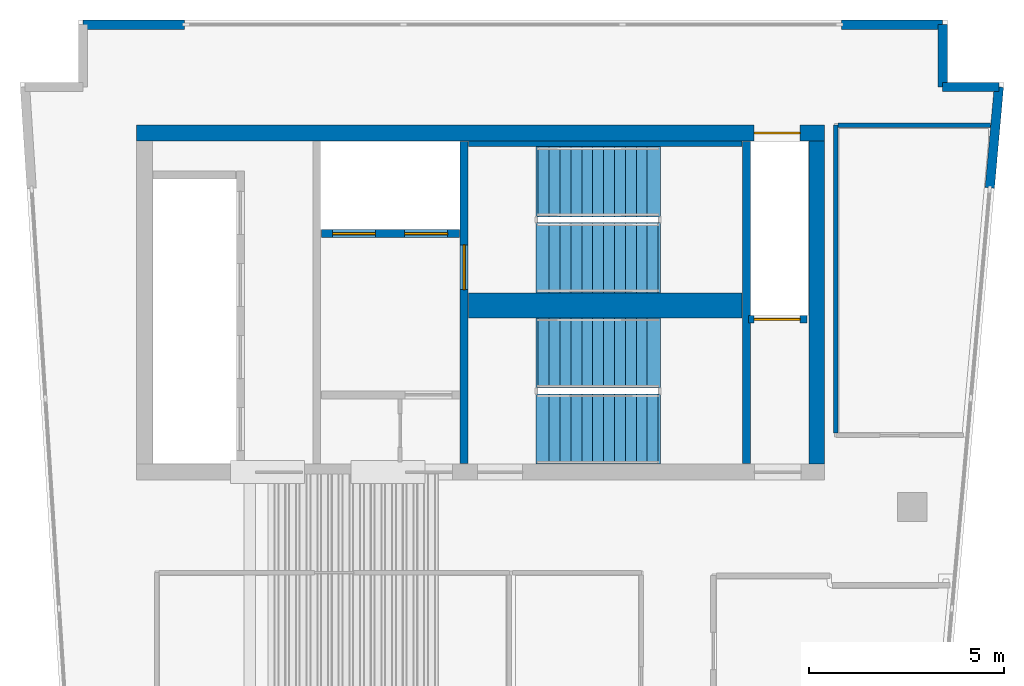
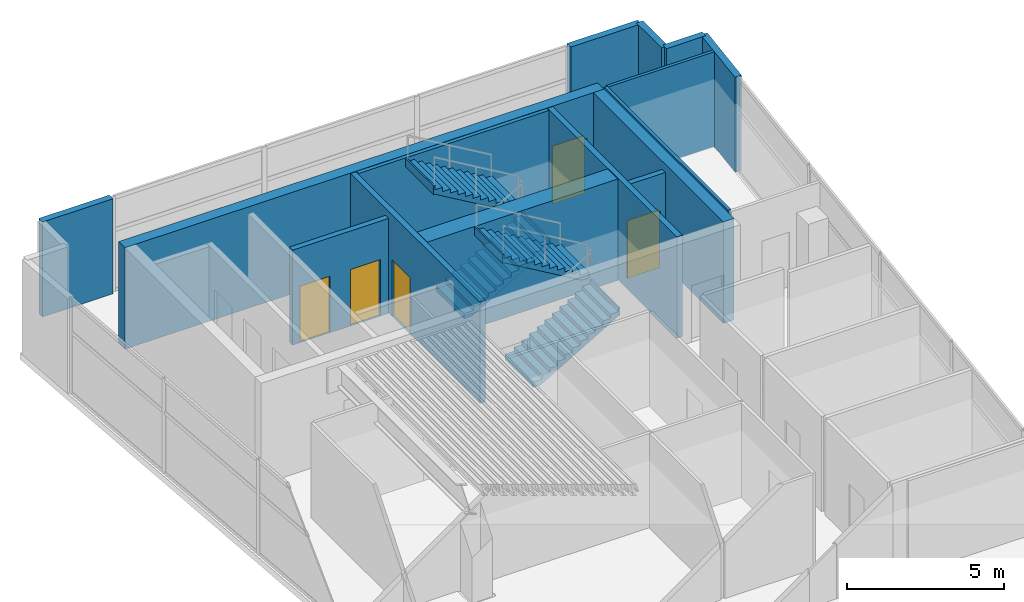
# One storey, part 5 of 7: 15 walls, 5 doors, 4 stair flights, 5 openings, 2 elements without a shape of their own.
"""IFC4 building model written with IfcOpenShell, lengths in metres."""

from ifc_helpers import new_model, si_unit, direction, frame, frame_2d, origin, place, context, subcontext, project, spatial, polyline, rectangle, outline, extrude, material, layer, layer_set, type_object, element, fill, aggregate, save


model = new_model("IFC4")

# Units and contexts
model_context = context("Model", 3, precision=1e-05, world=origin(), true_north=direction((0.0, 1.0)))
body_context = subcontext(model_context, "Body", "Model", "MODEL_VIEW")
ifc_project = project(units=[si_unit("LENGTHUNIT", "METRE"), si_unit("AREAUNIT", "SQUARE_METRE"), si_unit("VOLUMEUNIT", "CUBIC_METRE"), si_unit("PLANEANGLEUNIT", "RADIAN"), si_unit("MASSUNIT", "GRAM", prefix="KILO")], contexts=[model_context])

# Site, building, storey
site_placement = place(None, origin())
site = spatial("IfcSite", under=ifc_project, at=site_placement, CompositionType="ELEMENT")
building_placement = place(site_placement, origin())
building = spatial("IfcBuilding", under=site, at=building_placement, Name="Caeloran Harvest Quay", CompositionType="ELEMENT")
storey_placement = place(building_placement, frame((0.0, 0.0, 312.0)))
storey = spatial("IfcBuildingStorey", under=building, at=storey_placement, Name="L75", CompositionType="ELEMENT", Elevation=312.0)

# Walls
ifc_material_1 = material(Name="Precast concrete C50/60", Category="concrete")
ifc_layer_1 = layer(ifc_material_1, 0.239990234375, Name="Precast concrete C50/60")
ifc_layer_set_1 = layer_set([ifc_layer_1], Name="Precast concrete C50/60")
wall_type_1 = type_object("IfcWallType", Name="ENV-WALL-EW-240", PredefinedType="STANDARD", material=ifc_layer_set_1)
for number, where, z_axis, x_axis, name in (
    (1, (4.219970703125, 43.3798828125, 0.0), (0.0, 0.0, 1.0), (1.0, 0.0, 0.0), "L75 Exterior Facade Corner Pier Wall 6A"),
    (2, (23.679931640625, 43.3798828125, 0.0), (0.0, 0.0, 1.0), (1.0, 0.0, 0.0), "L75 Exterior Facade Corner Pier Wall 6B"),
):
    element("IfcWall", number, at=place(storey_placement, frame(where, z_axis=z_axis, x_axis=x_axis)), inside=storey, type_object=wall_type_1, Name=name, PredefinedType="STANDARD", context=body_context, shape_type="SweptSolid", body=[
        extrude(rectangle(XDim=2.60009765625, YDim=0.239990234375, at=frame_2d((1.300048828125, 0.0))), origin(), (0.0, 0.0, 1.0), 3.699951171875),
    ])
wall_1_placement = place(storey_placement, frame((26.280029296875, 43.3798828125, 0.0), z_axis=(0.0, 0.0, 1.0), x_axis=(0.0, -1.0, 0.0)))
element("IfcWall", 3, at=wall_1_placement, inside=storey, type_object=wall_type_1, Name="L75 Exterior Precast Concrete Facade Wall 7", PredefinedType="STANDARD", context=body_context, shape_type="SweptSolid", body=[
    extrude(rectangle(XDim=1.599853515625, YDim=0.239990234375, at=frame_2d((0.7998046875, 0.0))), origin(), (0.0, 0.0, 1.0), 3.699951171875),
])
wall_2_placement = place(storey_placement, frame((26.280029296875, 41.780029296875, 0.0), z_axis=(0.0, 0.0, 1.0), x_axis=(1.0, 0.0, 0.0)))
element("IfcWall", 4, at=wall_2_placement, inside=storey, type_object=wall_type_1, Name="L75 Exterior Precast Concrete Facade Wall 8", PredefinedType="STANDARD", context=body_context, shape_type="SweptSolid", body=[
    extrude(rectangle(XDim=1.4443359375, YDim=0.239990234375, at=frame_2d((0.72216796875, 0.0))), origin(), (0.0, 0.0, 1.0), 3.699951171875),
])
wall_3_placement = place(storey_placement, frame((27.724365234375, 41.780029296875, 0.0), z_axis=(0.0, 0.0, 1.0), x_axis=(-0.089765303723, -0.995962946222, 0.0)))
element("IfcWall", 5, at=wall_3_placement, inside=storey, type_object=wall_type_1, Name="L75 Exterior Facade Corner Pier Wall 9A", PredefinedType="STANDARD", context=body_context, shape_type="SweptSolid", body=[
    extrude(rectangle(XDim=2.60009765625, YDim=0.239990234375, at=frame_2d((1.300048828125, 0.0))), origin(), (0.0, 0.0, 1.0), 3.699951171875),
])
ifc_material_2 = material(Name="Single-Stud Acoustic Gypsum Office Partition", Category="gypsum")
ifc_layer_2 = layer(ifc_material_2, 0.112060546875, Name="Single-Stud Acoustic Gypsum Office Partition")
ifc_layer_set_2 = layer_set([ifc_layer_2], Name="Single-Stud Acoustic Gypsum Office Partition")
wall_type_2 = type_object("IfcWallType", Name="INT-WALL-PW-112", PredefinedType="PARTITIONING", material=ifc_layer_set_2)
wall_4_placement = place(storey_placement, frame((23.5400390625, 32.90087890625, 0.0), z_axis=(0.0, 0.0, 1.0), x_axis=(0.0, 1.0, 0.0)))
element("IfcWall", 6, at=wall_4_placement, inside=storey, type_object=wall_type_2, Name="L75 Bioinformatics and Crop Phenotyping Laboratory Partition Wall", PredefinedType="PARTITIONING", context=body_context, shape_type="SweptSolid", body=[
    extrude(rectangle(XDim=7.899169921875, YDim=0.112060546875, at=frame_2d((3.94970703125, 0.0))), origin(), (0.0, 0.0, 1.0), 3.699951171875),
])
wall_5_placement = place(storey_placement, frame((23.60107421875, 40.800048828125, 0.0), z_axis=(0.0, 0.0, 1.0), x_axis=(1.0, 0.0, 0.0)))
element("IfcWall", 7, at=wall_5_placement, inside=storey, type_object=wall_type_2, Name="L75 Bioinformatics and Crop Phenotyping Laboratory Partition Wall", PredefinedType="PARTITIONING", context=body_context, shape_type="SweptSolid", body=[
    extrude(rectangle(XDim=3.909423828125, YDim=0.112060546875, at=frame_2d((1.95458984375, 0.0))), origin(), (0.0, 0.0, 1.0), 3.699951171875),
])

# Wall, openings, doors
ifc_material_3 = material(Name="Concrete C50/60", Category="concrete")
ifc_layer_3 = layer(ifc_material_3, 0.199951171875, Name="Concrete C50/60")
ifc_layer_set_3 = layer_set([ifc_layer_3], Name="Concrete C50/60")
wall_type_3 = type_object("IfcWallType", Name="INT-WALL-SW-200", PredefinedType="PARTITIONING", material=ifc_layer_set_3)
wall_6_placement = place(storey_placement, frame((10.340087890625, 38.02001953125, 0.0), z_axis=(0.0, 0.0, 1.0), x_axis=(1.0, 0.0, 0.0)))
wall_6 = element("IfcWall", 8, at=wall_6_placement, inside=storey, type_object=wall_type_3, Name="L75 Firefighting Lift Shaft Wall", PredefinedType="PARTITIONING", context=body_context, shape_type="SweptSolid", body=[
    extrude(rectangle(XDim=3.539794921875, YDim=0.199951171875, at=frame_2d((1.77001953125, 0.0))), origin(), (0.0, 0.0, 1.0), 3.699951171875),
])
opening_1_placement = place(wall_6_placement, frame((0.284912109375, 0.0, 0.0)))
opening_1 = element("IfcOpeningElement", 9, at=opening_1_placement, cuts=wall_6, Name="Opening LD-01", PredefinedType="OPENING", context=body_context, shape_type="SweptSolid", body=[
    extrude(rectangle(XDim=1.10009765625, YDim=2.199951171875, at=frame_2d((0.550048828125, 1.10009765625))), frame((0.0, 0.10986328125, 0.0), z_axis=(0.0, -1.0, 0.0), x_axis=(1.0, 0.0, 0.0)), (0.0, 0.0, 1.0), 0.219970703125),
])
opening_2_placement = place(wall_6_placement, frame((2.135009765625, 0.0, 0.0)))
opening_2 = element("IfcOpeningElement", 10, at=opening_2_placement, cuts=wall_6, Name="Opening LD-01", PredefinedType="OPENING", context=body_context, shape_type="SweptSolid", body=[
    extrude(rectangle(XDim=1.10009765625, YDim=2.199951171875, at=frame_2d((0.550048828125, 1.10009765625))), frame((0.0, 0.10986328125, 0.0), z_axis=(0.0, -1.0, 0.0), x_axis=(1.0, 0.0, 0.0)), (0.0, 0.0, 1.0), 0.219970703125),
])
ifc_material_4 = material(Name="Stainless Steel Grade 316", Category="steel")
door_type_1 = type_object("IfcDoorType", Name="INTDOOR-LD-01", OperationType="NOTDEFINED", PredefinedType="DOOR", material=ifc_material_4)
door_1_placement = place(opening_1_placement, origin())
door_1 = element("IfcDoor", 11, at=door_1_placement, inside=storey, type_object=door_type_1, Name="Lift FF-1 Sliding Landing Door (L75)", OperationType="DOUBLE_DOOR_SLIDING", OverallHeight=2.199951171875, OverallWidth=1.10009765625, PredefinedType="DOOR", context=body_context, shape_type="SweptSolid", body=[
    extrude(rectangle(XDim=1.10009765625, YDim=2.199951171875, at=frame_2d((0.550048828125, 1.10009765625))), frame((0.0, 0.02490234375, 0.0), z_axis=(0.0, -1.0, 0.0), x_axis=(1.0, 0.0, 0.0)), (0.0, 0.0, 1.0), 0.050048828125),
])
fill(opening_1, door_1)
door_2_placement = place(opening_2_placement, origin())
door_2 = element("IfcDoor", 12, at=door_2_placement, inside=storey, type_object=door_type_1, Name="Lift FF-2 Sliding Landing Door (L75)", OperationType="DOUBLE_DOOR_SLIDING", OverallHeight=2.199951171875, OverallWidth=1.10009765625, PredefinedType="DOOR", context=body_context, shape_type="SweptSolid", body=[
    extrude(rectangle(XDim=1.10009765625, YDim=2.199951171875, at=frame_2d((0.550048828125, 1.10009765625))), frame((0.0, 0.02490234375, 0.0), z_axis=(0.0, -1.0, 0.0), x_axis=(1.0, 0.0, 0.0)), (0.0, 0.0, 1.0), 0.050048828125),
])
fill(opening_2, door_2)

# Wall, opening, door
wall_7_placement = place(storey_placement, frame((21.300048828125, 35.820068359375, 0.0), z_axis=(0.0, 0.0, 1.0), x_axis=(1.0, 0.0, 0.0)))
wall_7 = element("IfcWall", 13, at=wall_7_placement, inside=storey, type_object=wall_type_3, Name="L75 Service Lift SV-2 Shaft Wall", PredefinedType="PARTITIONING", context=body_context, shape_type="SweptSolid", body=[
    extrude(rectangle(XDim=1.5, YDim=0.199951171875, at=frame_2d((0.75, 0.0))), origin(), (0.0, 0.0, 1.0), 3.699951171875),
])
opening_3_placement = place(wall_7_placement, frame((0.14501953125, 0.0, 0.0)))
opening_3 = element("IfcOpeningElement", 14, at=opening_3_placement, cuts=wall_7, Name="Opening LD-02", PredefinedType="OPENING", context=body_context, shape_type="SweptSolid", body=[
    extrude(rectangle(XDim=1.179931640625, YDim=2.25, at=frame_2d((0.58984375, 1.125))), frame((0.0, 0.10986328125, 0.0), z_axis=(0.0, -1.0, 0.0), x_axis=(1.0, 0.0, 0.0)), (0.0, 0.0, 1.0), 0.219970703125),
])
door_type_2 = type_object("IfcDoorType", Name="INTDOOR-LD-02", OperationType="NOTDEFINED", PredefinedType="DOOR", material=ifc_material_4)
door_3_placement = place(opening_3_placement, origin())
door_3 = element("IfcDoor", 15, at=door_3_placement, inside=storey, type_object=door_type_2, Name="Lift SV-2 Sliding Landing Door (L75)", OperationType="DOUBLE_DOOR_SLIDING", OverallHeight=2.25, OverallWidth=1.179931640625, PredefinedType="DOOR", context=body_context, shape_type="SweptSolid", body=[
    extrude(rectangle(XDim=1.179931640625, YDim=2.25, at=frame_2d((0.58984375, 1.125))), frame((0.0, 0.02490234375, 0.0), z_axis=(0.0, -1.0, 0.0), x_axis=(1.0, 0.0, 0.0)), (0.0, 0.0, 1.0), 0.050048828125),
])
fill(opening_3, door_3)

ifc_material_5 = material(Name="Concrete C60/75", Category="concrete")
ifc_layer_4 = layer(ifc_material_5, 0.39990234375, Name="Concrete C60/75")
ifc_layer_set_4 = layer_set([ifc_layer_4], Name="Concrete C60/75")
wall_type_4 = type_object("IfcWallType", Name="STR-WALL-CW-400", PredefinedType="SHEAR", material=ifc_layer_set_4)
wall_8_placement = place(storey_placement, frame((5.60009765625, 40.60009765625, 0.0), z_axis=(0.0, 0.0, 1.0), x_axis=(1.0, 0.0, 0.0)))
wall_8 = element("IfcWall", 16, at=wall_8_placement, inside=storey, type_object=wall_type_4, Name="L75 Rear Core Shear Wall N", PredefinedType="SHEAR", context=body_context, shape_type="SweptSolid", body=[
    extrude(rectangle(XDim=17.64990234375, YDim=0.39990234375, at=frame_2d((8.824951171875, 0.0))), origin(), (0.0, 0.0, 1.0), 3.949951171875),
])
opening_4_placement = place(wall_8_placement, frame((15.844970703125, 0.0, 0.0)))
opening_4 = element("IfcOpeningElement", 17, at=opening_4_placement, cuts=wall_8, Name="Opening LD-02", PredefinedType="OPENING", context=body_context, shape_type="SweptSolid", body=[
    extrude(rectangle(XDim=1.179931640625, YDim=2.25, at=frame_2d((0.58984375, 1.125))), frame((0.0, 0.2099609375, 0.0), z_axis=(0.0, -1.0, 0.0), x_axis=(1.0, 0.0, 0.0)), (0.0, 0.0, 1.0), 0.419921875),
])
door_4_placement = place(opening_4_placement, origin())
door_4 = element("IfcDoor", 18, at=door_4_placement, inside=storey, type_object=door_type_2, Name="Lift SV-1 Sliding Landing Door (L75)", OperationType="DOUBLE_DOOR_SLIDING", OverallHeight=2.25, OverallWidth=1.179931640625, PredefinedType="DOOR", context=body_context, shape_type="SweptSolid", body=[
    extrude(rectangle(XDim=1.179931640625, YDim=2.25, at=frame_2d((0.58984375, 1.125))), frame((0.0, 0.02490234375, 0.0), z_axis=(0.0, -1.0, 0.0), x_axis=(1.0, 0.0, 0.0)), (0.0, 0.0, 1.0), 0.050048828125),
])
fill(opening_4, door_4)

# Walls
wall_9_placement = place(storey_placement, frame((23.050048828125, 32.10009765625, 0.0), z_axis=(0.0, 0.0, 1.0), x_axis=(0.0, 1.0, 0.0)))
element("IfcWall", 19, at=wall_9_placement, inside=storey, type_object=wall_type_4, Name="L75 Rear Core Shear Wall E", PredefinedType="SHEAR", context=body_context, shape_type="SweptSolid", body=[
    extrude(rectangle(XDim=8.2998046875, YDim=0.39990234375, at=frame_2d((4.14990234375, 0.0))), origin(), (0.0, 0.0, 1.0), 3.949951171875),
])
ifc_layer_5 = layer(ifc_material_5, 0.64990234375, Name="Concrete C60/75")
ifc_layer_set_5 = layer_set([ifc_layer_5], Name="Concrete C60/75")
wall_type_5 = type_object("IfcWallType", Name="STR-WALL-CW-650", PredefinedType="SHEAR", material=ifc_layer_set_5)
wall_10_placement = place(storey_placement, frame((14.1201171875, 36.175048828125, 0.0), z_axis=(0.0, 0.0, 1.0), x_axis=(1.0, 0.0, 0.0)))
element("IfcWall", 20, at=wall_10_placement, inside=storey, type_object=wall_type_5, Name="L75 Core Stairs Dividing Shear Wall", PredefinedType="SHEAR", context=body_context, shape_type="SweptSolid", body=[
    extrude(rectangle(XDim=7.009765625, YDim=0.64990234375, at=frame_2d((3.5048828125, 0.0))), origin(), (0.0, 0.0, 1.0), 3.949951171875),
])
ifc_layer_6 = layer(ifc_material_5, 0.139892578125, Name="Concrete C60/75")
ifc_layer_set_6 = layer_set([ifc_layer_6], Name="Concrete C60/75")
wall_type_6 = type_object("IfcWallType", Name="STR-WALL-SW-140", PredefinedType="SHEAR", material=ifc_layer_set_6)
wall_11_placement = place(storey_placement, frame((14.1201171875, 40.320068359375, 0.0), z_axis=(0.0, 0.0, 1.0), x_axis=(1.0, 0.0, 0.0)))
element("IfcWall", 21, at=wall_11_placement, inside=storey, type_object=wall_type_6, Name="L75 Core Stair ST-C1 North Bearing Shear Wall", PredefinedType="SHEAR", context=body_context, shape_type="SweptSolid", body=[
    extrude(rectangle(XDim=7.009765625, YDim=0.139892578125, at=frame_2d((3.5048828125, 0.0))), origin(), (0.0, 0.0, 1.0), 3.949951171875),
])

# Wall, opening, door
ifc_layer_7 = layer(ifc_material_5, 0.199951171875, Name="Concrete C60/75")
ifc_layer_set_7 = layer_set([ifc_layer_7], Name="Concrete C60/75")
wall_type_7 = type_object("IfcWallType", Name="STR-WALL-SW-200", PredefinedType="SHEAR", material=ifc_layer_set_7)
wall_12_placement = place(storey_placement, frame((14.0, 32.1201171875, 0.0), z_axis=(0.0, 0.0, 1.0), x_axis=(0.0, 1.0, 0.0)))
wall_12 = element("IfcWall", 22, at=wall_12_placement, inside=storey, type_object=wall_type_7, Name="L75 Core Stair Shaft West Shear Wall", PredefinedType="SHEAR", context=body_context, shape_type="SweptSolid", body=[
    extrude(rectangle(XDim=8.259765625, YDim=0.199951171875, at=frame_2d((4.1298828125, 0.0))), origin(), (0.0, 0.0, 1.0), 3.949951171875),
])
opening_5_placement = place(wall_12_placement, frame((4.4599609375, 0.0, 0.0)))
opening_5 = element("IfcOpeningElement", 23, at=opening_5_placement, cuts=wall_12, Name="Opening SD-01", PredefinedType="OPENING", context=body_context, shape_type="SweptSolid", body=[
    extrude(rectangle(XDim=1.14990234375, YDim=2.199951171875, at=frame_2d((0.574951171875, 1.10009765625))), frame((0.0, 0.10986328125, 0.0), z_axis=(0.0, -1.0, 0.0), x_axis=(1.0, 0.0, 0.0)), (0.0, 0.0, 1.0), 0.219970703125),
])
ifc_material_6 = material(Name="Steel", Category="steel")
door_type_3 = type_object("IfcDoorType", Name="INTDOOR-SD-01", OperationType="NOTDEFINED", PredefinedType="DOOR", material=ifc_material_6)
door_5_placement = place(opening_5_placement, origin())
door_5 = element("IfcDoor", 24, at=door_5_placement, inside=storey, type_object=door_type_3, Name="L75 Protected Stair ST-C1 Exit Door", OperationType="SINGLE_SWING_LEFT", OverallHeight=2.199951171875, OverallWidth=1.14990234375, PredefinedType="DOOR", context=body_context, shape_type="SweptSolid", body=[
    extrude(rectangle(XDim=1.14990234375, YDim=2.199951171875, at=frame_2d((0.574951171875, 1.10009765625))), frame((0.0, 0.02490234375, 0.0), z_axis=(0.0, -1.0, 0.0), x_axis=(1.0, 0.0, 0.0)), (0.0, 0.0, 1.0), 0.050048828125),
])
fill(opening_5, door_5)

# Wall
wall_13_placement = place(storey_placement, frame((21.25, 32.1201171875, 0.0), z_axis=(0.0, 0.0, 1.0), x_axis=(0.0, 1.0, 0.0)))
element("IfcWall", 25, at=wall_13_placement, inside=storey, type_object=wall_type_7, Name="L75 Core Stair Shaft East Shear Wall", PredefinedType="SHEAR", context=body_context, shape_type="SweptSolid", body=[
    extrude(rectangle(XDim=8.259765625, YDim=0.199951171875, at=frame_2d((4.1298828125, 0.0))), origin(), (0.0, 0.0, 1.0), 3.949951171875),
])

# Stair, stair flights
stair_type = type_object("IfcStairType", Name="STAIR-STC-180", PredefinedType="HALF_TURN_STAIR", material=ifc_material_3)
stair_1_placement = place(storey_placement, origin())
stair_1 = element("IfcStair", 26, at=stair_1_placement, inside=storey, type_object=stair_type, Name="L75 Core Pressurized Exit Stair ST-C1", PredefinedType="HALF_TURN_STAIR")
stair_flight_type = type_object("IfcStairFlightType", Name="FLIGHT-STC-180", PredefinedType="STRAIGHT", material=ifc_material_3)
stair_flight_1_placement = place(storey_placement, frame((15.89990234375, 37.39990234375, 0.0), z_axis=(0.0, 0.0, 1.0), x_axis=(1.0, 0.0, 0.0)))
stair_flight_1 = element("IfcStairFlight", 27, at=stair_flight_1_placement, type_object=stair_flight_type, Name="ST-C1 flight 1", NumberOfRisers=12, NumberOfTreads=11, PredefinedType="STRAIGHT", RiserHeight=0.164583333, TreadLength=0.28, context=body_context, shape_type="SweptSolid", body=[
    extrude(outline(polyline([(-0.054931640625, -0.044921875), (-0.054931640625, -0.031982421875), (-0.054931640625, -0.018798828125), (-0.054931640625, -0.005615234375), (-0.054931640625, 0.00732421875), (-0.054931640625, 0.0205078125), (-0.054931640625, 0.03369140625), (-0.054931640625, 0.046630859375), (-0.054931640625, 0.059814453125), (-0.054931640625, 0.072998046875), (-0.054931640625, 0.0859375), (-0.054931640625, 0.09912109375), (-0.054931640625, 0.1123046875), (-0.054931640625, 0.125244140625), (-0.054931640625, 0.138427734375), (-0.054931640625, 0.1513671875), (-0.054931640625, 0.16455078125), (0.280029296875, 0.16455078125), (0.280029296875, 0.3291015625), (0.56005859375, 0.3291015625), (0.56005859375, 0.49365234375), (0.840087890625, 0.49365234375), (0.840087890625, 0.658447265625), (1.1201171875, 0.658447265625), (1.1201171875, 0.822998046875), (1.39990234375, 0.822998046875), (1.39990234375, 0.987548828125), (1.679931640625, 0.987548828125), (1.679931640625, 1.152099609375), (1.9599609375, 1.152099609375), (1.9599609375, 1.316650390625), (2.239990234375, 1.316650390625), (2.239990234375, 1.481201171875), (2.52001953125, 1.481201171875), (2.52001953125, 1.645751953125), (2.800048828125, 1.645751953125), (2.800048828125, 1.810302734375), (3.080078125, 1.810302734375), (3.080078125, 1.97509765625), (3.135009765625, 1.97509765625), (3.135009765625, 1.953857421875), (3.135009765625, 1.9326171875), (3.135009765625, 1.91162109375), (3.135009765625, 1.890380859375), (3.135009765625, 1.869140625), (3.135009765625, 1.84814453125), (3.135009765625, 1.826904296875), (3.135009765625, 1.8056640625), (3.135009765625, 1.78466796875), (3.135009765625, 1.763427734375), (3.135009765625, 1.7421875), (3.135009765625, 1.72119140625), (3.135009765625, 1.699951171875), (3.135009765625, 1.678955078125), (3.135009765625, 1.65771484375), (3.135009765625, 1.636474609375), (3.080078125, 1.636474609375), (0.21923828125, -0.044921875), (-0.054931640625, -0.044921875)])), frame((0.0, 0.89990234375, 0.0), z_axis=(0.0, -1.0, 0.0), x_axis=(1.0, 0.0, 0.0)), (0.0, 0.0, 1.0), 1.800048828125),
])
stair_flight_2_placement = place(storey_placement, frame((18.97998046875, 39.35009765625, 1.97509765625), z_axis=(0.0, 0.0, 1.0), x_axis=(-1.0, 0.0, 0.0)))
stair_flight_2 = element("IfcStairFlight", 28, at=stair_flight_2_placement, type_object=stair_flight_type, Name="ST-C1 flight 2", NumberOfRisers=12, NumberOfTreads=11, PredefinedType="STRAIGHT", RiserHeight=0.164583333, TreadLength=0.28, context=body_context, shape_type="SweptSolid", body=[
    extrude(outline(polyline([(-0.054931640625, -0.044921875), (-0.054931640625, -0.031982421875), (-0.054931640625, -0.018798828125), (-0.054931640625, -0.005615234375), (-0.054931640625, 0.00732421875), (-0.054931640625, 0.0205078125), (-0.054931640625, 0.03369140625), (-0.054931640625, 0.046630859375), (-0.054931640625, 0.059814453125), (-0.054931640625, 0.072998046875), (-0.054931640625, 0.0859375), (-0.054931640625, 0.09912109375), (-0.054931640625, 0.1123046875), (-0.054931640625, 0.125244140625), (-0.054931640625, 0.138427734375), (-0.054931640625, 0.1513671875), (-0.054931640625, 0.16455078125), (0.280029296875, 0.16455078125), (0.280029296875, 0.3291015625), (0.56005859375, 0.3291015625), (0.56005859375, 0.49365234375), (0.840087890625, 0.49365234375), (0.840087890625, 0.658447265625), (1.1201171875, 0.658447265625), (1.1201171875, 0.822998046875), (1.39990234375, 0.822998046875), (1.39990234375, 0.987548828125), (1.679931640625, 0.987548828125), (1.679931640625, 1.152099609375), (1.9599609375, 1.152099609375), (1.9599609375, 1.316650390625), (2.239990234375, 1.316650390625), (2.239990234375, 1.481201171875), (2.52001953125, 1.481201171875), (2.52001953125, 1.645751953125), (2.800048828125, 1.645751953125), (2.800048828125, 1.810302734375), (3.080078125, 1.810302734375), (3.080078125, 1.97509765625), (3.135009765625, 1.97509765625), (3.135009765625, 1.953857421875), (3.135009765625, 1.9326171875), (3.135009765625, 1.91162109375), (3.135009765625, 1.890380859375), (3.135009765625, 1.869140625), (3.135009765625, 1.84814453125), (3.135009765625, 1.826904296875), (3.135009765625, 1.8056640625), (3.135009765625, 1.78466796875), (3.135009765625, 1.763427734375), (3.135009765625, 1.7421875), (3.135009765625, 1.72119140625), (3.135009765625, 1.699951171875), (3.135009765625, 1.678955078125), (3.135009765625, 1.65771484375), (3.135009765625, 1.636474609375), (3.080078125, 1.636474609375), (0.21923828125, -0.044921875), (-0.054931640625, -0.044921875)])), frame((0.0, 0.89990234375, 0.0), z_axis=(0.0, -1.0, 0.0), x_axis=(1.0, 0.0, 0.0)), (0.0, 0.0, 1.0), 1.800048828125),
])
aggregate(stair_1, [stair_flight_1, stair_flight_2])

stair_2_placement = place(storey_placement, origin())
stair_2 = element("IfcStair", 29, at=stair_2_placement, inside=storey, type_object=stair_type, Name="L75 Core Pressurized Exit Stair ST-C2", PredefinedType="HALF_TURN_STAIR")
stair_flight_3_placement = place(storey_placement, frame((15.89990234375, 33.0, 0.0), z_axis=(0.0, 0.0, 1.0), x_axis=(1.0, 0.0, 0.0)))
stair_flight_3 = element("IfcStairFlight", 30, at=stair_flight_3_placement, type_object=stair_flight_type, Name="ST-C2 flight 1", NumberOfRisers=12, NumberOfTreads=11, PredefinedType="STRAIGHT", RiserHeight=0.164583333, TreadLength=0.28, context=body_context, shape_type="SweptSolid", body=[
    extrude(outline(polyline([(-0.054931640625, -0.044921875), (-0.054931640625, -0.031982421875), (-0.054931640625, -0.018798828125), (-0.054931640625, -0.005615234375), (-0.054931640625, 0.00732421875), (-0.054931640625, 0.0205078125), (-0.054931640625, 0.03369140625), (-0.054931640625, 0.046630859375), (-0.054931640625, 0.059814453125), (-0.054931640625, 0.072998046875), (-0.054931640625, 0.0859375), (-0.054931640625, 0.09912109375), (-0.054931640625, 0.1123046875), (-0.054931640625, 0.125244140625), (-0.054931640625, 0.138427734375), (-0.054931640625, 0.1513671875), (-0.054931640625, 0.16455078125), (0.280029296875, 0.16455078125), (0.280029296875, 0.3291015625), (0.56005859375, 0.3291015625), (0.56005859375, 0.49365234375), (0.840087890625, 0.49365234375), (0.840087890625, 0.658447265625), (1.1201171875, 0.658447265625), (1.1201171875, 0.822998046875), (1.39990234375, 0.822998046875), (1.39990234375, 0.987548828125), (1.679931640625, 0.987548828125), (1.679931640625, 1.152099609375), (1.9599609375, 1.152099609375), (1.9599609375, 1.316650390625), (2.239990234375, 1.316650390625), (2.239990234375, 1.481201171875), (2.52001953125, 1.481201171875), (2.52001953125, 1.645751953125), (2.800048828125, 1.645751953125), (2.800048828125, 1.810302734375), (3.080078125, 1.810302734375), (3.080078125, 1.97509765625), (3.135009765625, 1.97509765625), (3.135009765625, 1.953857421875), (3.135009765625, 1.9326171875), (3.135009765625, 1.91162109375), (3.135009765625, 1.890380859375), (3.135009765625, 1.869140625), (3.135009765625, 1.84814453125), (3.135009765625, 1.826904296875), (3.135009765625, 1.8056640625), (3.135009765625, 1.78466796875), (3.135009765625, 1.763427734375), (3.135009765625, 1.7421875), (3.135009765625, 1.72119140625), (3.135009765625, 1.699951171875), (3.135009765625, 1.678955078125), (3.135009765625, 1.65771484375), (3.135009765625, 1.636474609375), (3.080078125, 1.636474609375), (0.21923828125, -0.044921875), (-0.054931640625, -0.044921875)])), frame((0.0, 0.89990234375, 0.0), z_axis=(0.0, -1.0, 0.0), x_axis=(1.0, 0.0, 0.0)), (0.0, 0.0, 1.0), 1.800048828125),
])
stair_flight_4_placement = place(storey_placement, frame((18.97998046875, 34.949951171875, 1.97509765625), z_axis=(0.0, 0.0, 1.0), x_axis=(-1.0, 0.0, 0.0)))
stair_flight_4 = element("IfcStairFlight", 31, at=stair_flight_4_placement, type_object=stair_flight_type, Name="ST-C2 flight 2", NumberOfRisers=12, NumberOfTreads=11, PredefinedType="STRAIGHT", RiserHeight=0.164583333, TreadLength=0.28, context=body_context, shape_type="SweptSolid", body=[
    extrude(outline(polyline([(-0.054931640625, -0.044921875), (-0.054931640625, -0.031982421875), (-0.054931640625, -0.018798828125), (-0.054931640625, -0.005615234375), (-0.054931640625, 0.00732421875), (-0.054931640625, 0.0205078125), (-0.054931640625, 0.03369140625), (-0.054931640625, 0.046630859375), (-0.054931640625, 0.059814453125), (-0.054931640625, 0.072998046875), (-0.054931640625, 0.0859375), (-0.054931640625, 0.09912109375), (-0.054931640625, 0.1123046875), (-0.054931640625, 0.125244140625), (-0.054931640625, 0.138427734375), (-0.054931640625, 0.1513671875), (-0.054931640625, 0.16455078125), (0.280029296875, 0.16455078125), (0.280029296875, 0.3291015625), (0.56005859375, 0.3291015625), (0.56005859375, 0.49365234375), (0.840087890625, 0.49365234375), (0.840087890625, 0.658447265625), (1.1201171875, 0.658447265625), (1.1201171875, 0.822998046875), (1.39990234375, 0.822998046875), (1.39990234375, 0.987548828125), (1.679931640625, 0.987548828125), (1.679931640625, 1.152099609375), (1.9599609375, 1.152099609375), (1.9599609375, 1.316650390625), (2.239990234375, 1.316650390625), (2.239990234375, 1.481201171875), (2.52001953125, 1.481201171875), (2.52001953125, 1.645751953125), (2.800048828125, 1.645751953125), (2.800048828125, 1.810302734375), (3.080078125, 1.810302734375), (3.080078125, 1.97509765625), (3.135009765625, 1.97509765625), (3.135009765625, 1.953857421875), (3.135009765625, 1.9326171875), (3.135009765625, 1.91162109375), (3.135009765625, 1.890380859375), (3.135009765625, 1.869140625), (3.135009765625, 1.84814453125), (3.135009765625, 1.826904296875), (3.135009765625, 1.8056640625), (3.135009765625, 1.78466796875), (3.135009765625, 1.763427734375), (3.135009765625, 1.7421875), (3.135009765625, 1.72119140625), (3.135009765625, 1.699951171875), (3.135009765625, 1.678955078125), (3.135009765625, 1.65771484375), (3.135009765625, 1.636474609375), (3.080078125, 1.636474609375), (0.21923828125, -0.044921875), (-0.054931640625, -0.044921875)])), frame((0.0, 0.89990234375, 0.0), z_axis=(0.0, -1.0, 0.0), x_axis=(1.0, 0.0, 0.0)), (0.0, 0.0, 1.0), 1.800048828125),
])
aggregate(stair_2, [stair_flight_3, stair_flight_4])

save(model, "model.ifc")
